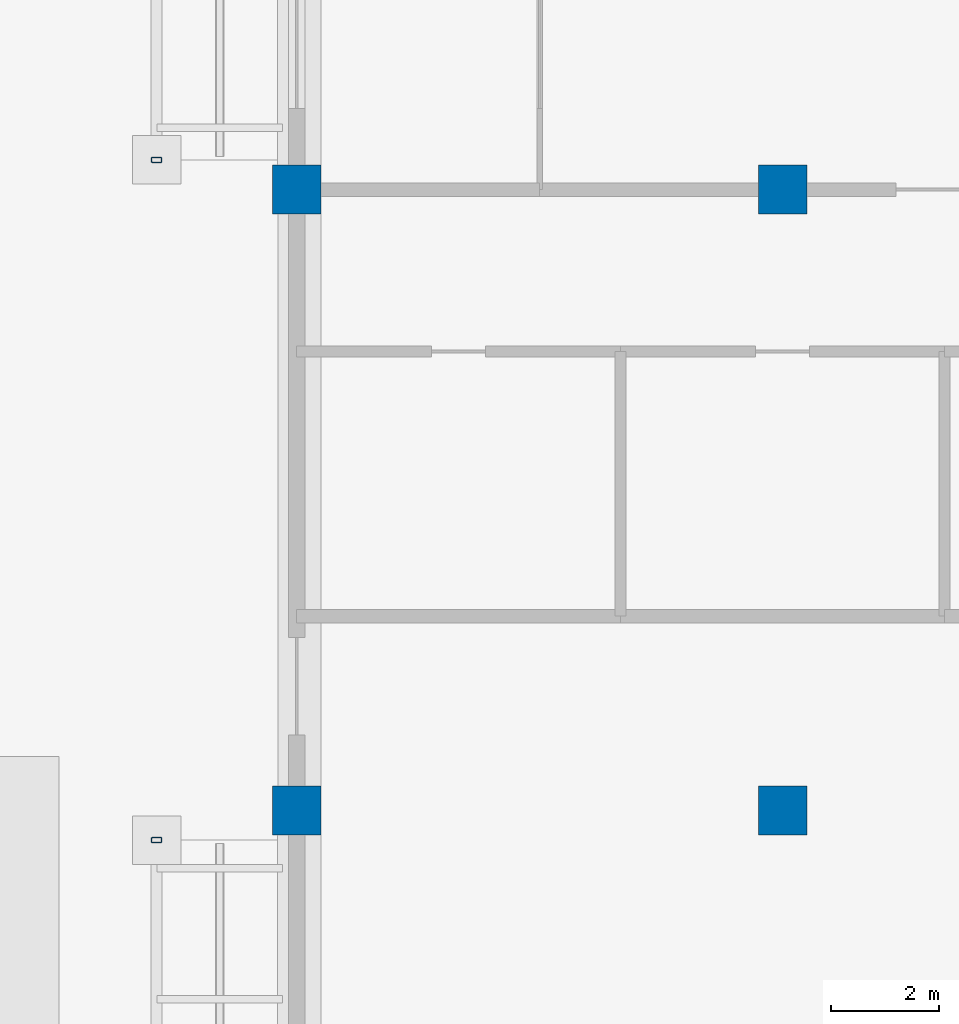
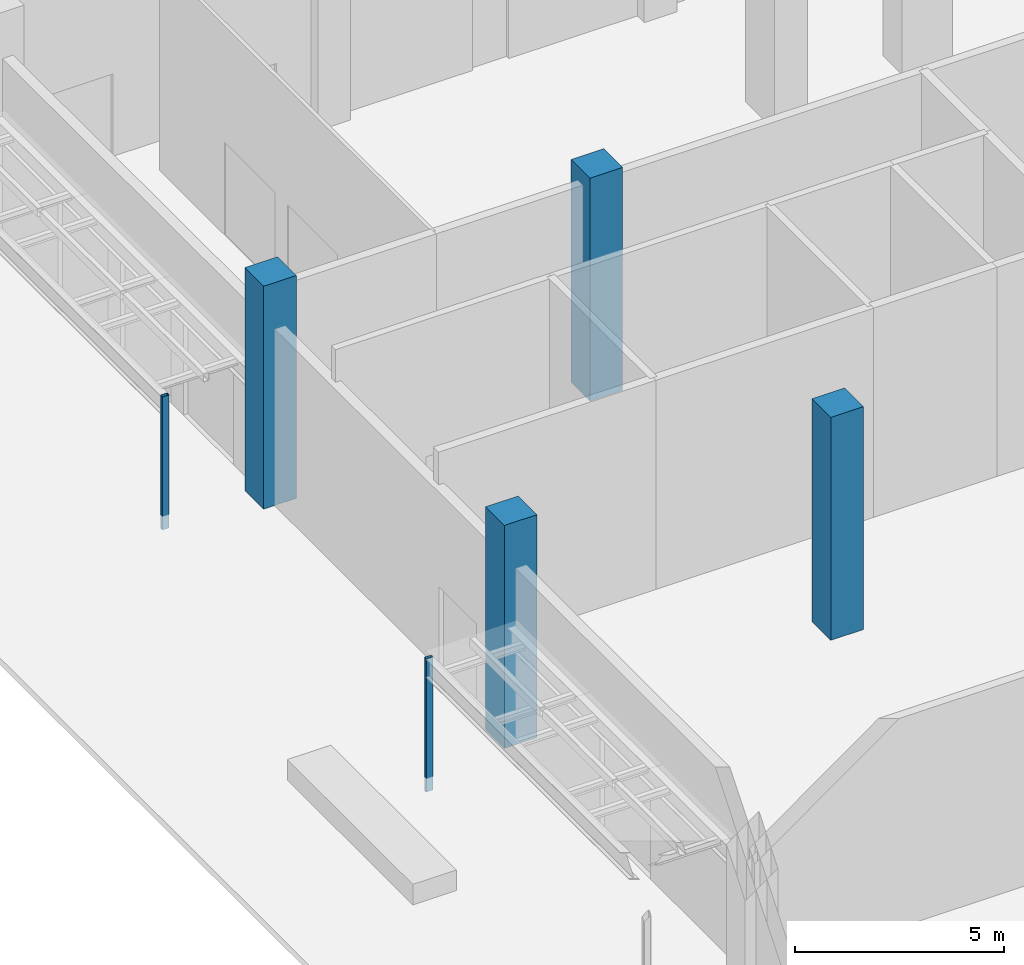
# One storey, part 6 of 39: 6 columns.
"""IFC4 building model written with IfcOpenShell, lengths in metres."""

from ifc_helpers import new_model, si_unit, direction, frame, origin, origin_2d, place, context, subcontext, project, spatial, rectangle, hollow_rectangle, extrude, material, material_profile, profile_set, type_object, element, save


model = new_model("IFC4")

# Units and contexts
model_context = context("Model", 3, precision=1e-05, world=origin(), true_north=direction((0.0, 1.0)))
body_context = subcontext(model_context, "Body", "Model", "MODEL_VIEW")
ifc_project = project(units=[si_unit("LENGTHUNIT", "METRE"), si_unit("AREAUNIT", "SQUARE_METRE"), si_unit("VOLUMEUNIT", "CUBIC_METRE"), si_unit("PLANEANGLEUNIT", "RADIAN"), si_unit("MASSUNIT", "GRAM", prefix="KILO")], contexts=[model_context])

# Site, building, storey
site_placement = place(None, origin())
site = spatial("IfcSite", under=ifc_project, at=site_placement, CompositionType="ELEMENT")
building_placement = place(site_placement, origin())
building = spatial("IfcBuilding", under=site, at=building_placement, Name="Brigalow Station Residences", CompositionType="ELEMENT")
storey_placement = place(building_placement, origin())
storey = spatial("IfcBuildingStorey", under=building, at=storey_placement, Name="L00", CompositionType="ELEMENT", Elevation=0.0)

# Columns
ifc_material_1 = material(Name="Steel Grade C450L0 to AS/NZS 1163", Category="steel")
ifc_material_profile_1 = material_profile(ifc_material_1, hollow_rectangle(XDim=0.10009765625, YDim=0.199951171875, WallThickness=0.009033203125, InnerFilletRadius=0.013427734375, OuterFilletRadius=0.0224609375, at=origin_2d()), Name="200x100x9.0RHS")
ifc_profile_set_1 = profile_set([ifc_material_profile_1], Name="Steel Grade C450L0 to AS/NZS 1163")
column_type_1 = type_object("IfcColumnType", Name="CANOPY POST 200x100x9.0RHS", PredefinedType="COLUMN", material=ifc_profile_set_1)
for number, where, z_axis, x_axis, name in (
    (1, (-20.595458984375, 36.050048828125, -0.39990234375), (0.0, 0.0, 1.0), (0.0, 1.0, 0.0), "L00/canopy-post/W-entry-1"),
    (2, (-20.595458984375, 23.449951171875, -0.39990234375), (0.0, 0.0, 1.0), (0.0, 1.0, 0.0), "L00/canopy-post/W-exit-2"),
):
    element("IfcColumn", number, at=place(storey_placement, frame(where, z_axis=z_axis, x_axis=x_axis)), inside=storey, type_object=column_type_1, Name=name, PredefinedType="COLUMN", context=body_context, shape_type="SweptSolid", body=[
        extrude(hollow_rectangle(XDim=0.10009765625, YDim=0.199951171875, WallThickness=0.009033203125, InnerFilletRadius=0.013427734375, OuterFilletRadius=0.0224609375, at=origin_2d()), origin(), (0.0, 0.0, 1.0), 3.8779296875),
    ])
ifc_material_2 = material(Name="Concrete C50", Category="concrete")
ifc_material_profile_2 = material_profile(ifc_material_2, rectangle(XDim=0.89990234375, YDim=0.89990234375, at=origin_2d()), Name="RC900x900")
ifc_profile_set_2 = profile_set([ifc_material_profile_2], Name="Concrete C50")
column_type_2 = type_object("IfcColumnType", Name="COLUMN 900x900 C50", PredefinedType="COLUMN", material=ifc_profile_set_2)
for number, where, z_axis, x_axis, name in (
    (3, (-18.0, 24.0, 0.0), (0.0, 0.0, 1.0), (1.0, 0.0, 0.0), "COLUMN CW2 L00"),
    (4, (-18.0, 35.5, 0.0), (0.0, 0.0, 1.0), (1.0, 0.0, 0.0), "COLUMN DW2 L00"),
    (5, (-9.0, 24.0, 0.0), (0.0, 0.0, 1.0), (1.0, 0.0, 0.0), "COLUMN CW1 L00"),
    (6, (-9.0, 35.5, 0.0), (0.0, 0.0, 1.0), (1.0, 0.0, 0.0), "COLUMN DW1 L00"),
):
    element("IfcColumn", number, at=place(storey_placement, frame(where, z_axis=z_axis, x_axis=x_axis)), inside=storey, type_object=column_type_2, Name=name, PredefinedType="COLUMN", context=body_context, shape_type="SweptSolid", body=[
        extrude(rectangle(XDim=0.89990234375, YDim=0.89990234375, at=origin_2d()), origin(), (0.0, 0.0, 1.0), 6.5),
    ])

save(model, "model.ifc")
